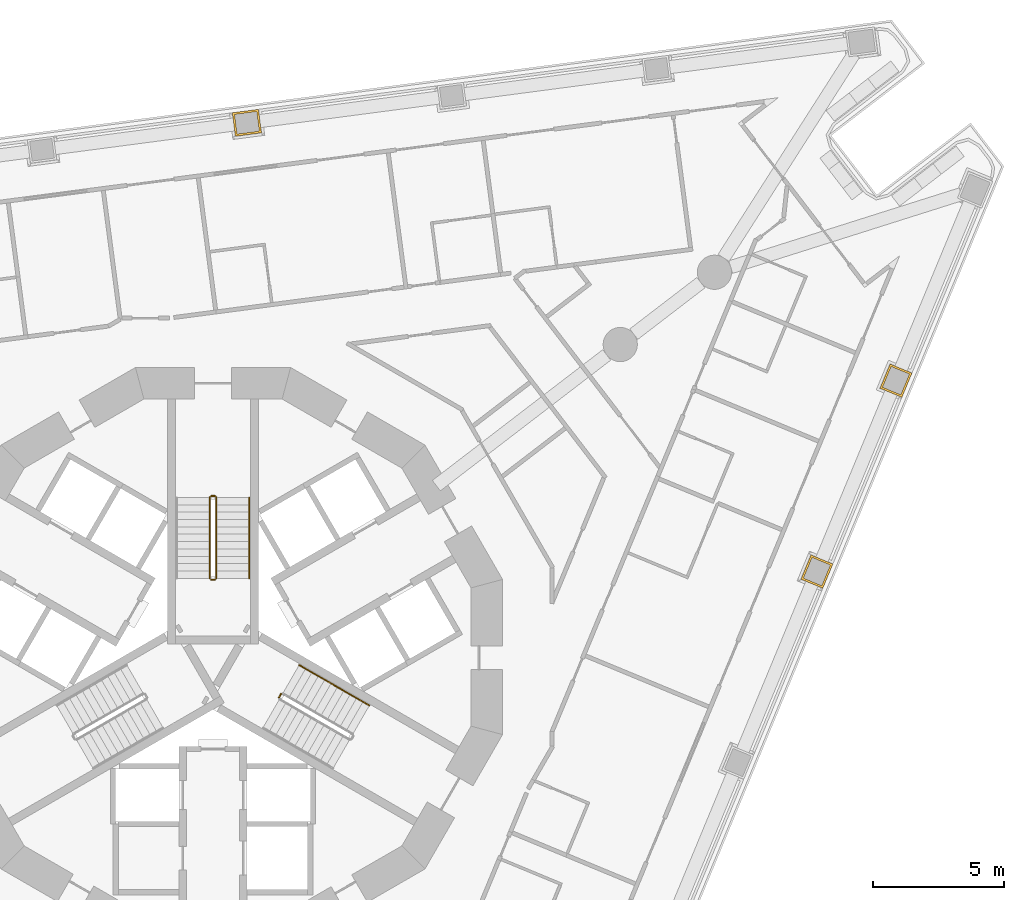
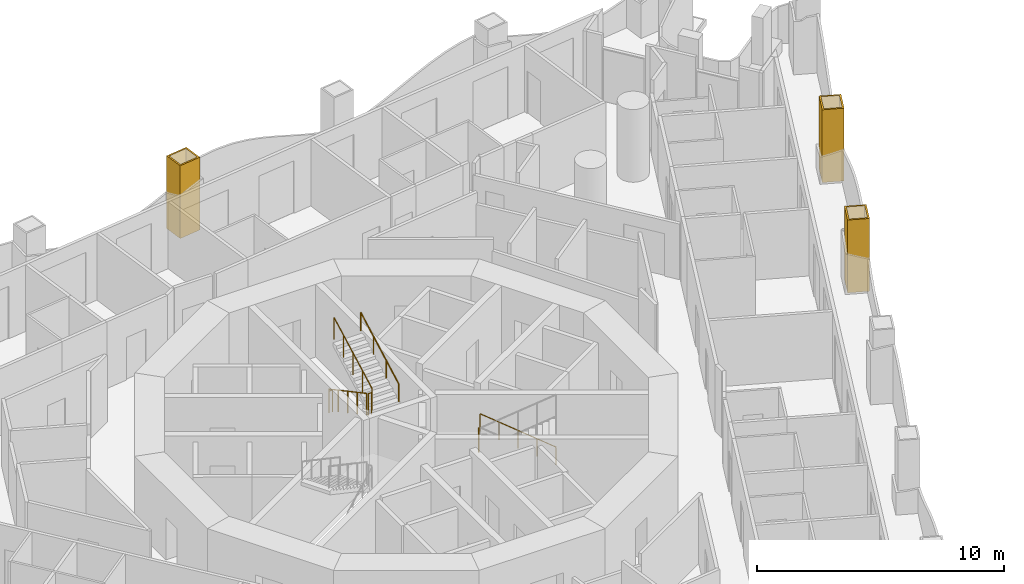
# One storey, part 17 of 19: 8 railings, 3 coverings.
"""IFC4 building model written with IfcOpenShell, lengths in metres."""

from ifc_helpers import new_model, si_unit, direction, frame, origin, origin_2d, place, context, subcontext, project, spatial, polyline, circle, outline, extrude, material, layer, layer_set, type_object, element, save


model = new_model("IFC4")

# Units and contexts
model_context = context("Model", 3, precision=1e-05, world=origin(), true_north=direction((0.0, 1.0)))
body_context = subcontext(model_context, "Body", "Model", "MODEL_VIEW")
ifc_project = project(units=[si_unit("LENGTHUNIT", "METRE"), si_unit("AREAUNIT", "SQUARE_METRE"), si_unit("VOLUMEUNIT", "CUBIC_METRE"), si_unit("PLANEANGLEUNIT", "RADIAN"), si_unit("MASSUNIT", "GRAM", prefix="KILO")], contexts=[model_context])

# Site, building, storey
site_placement = place(None, origin())
site = spatial("IfcSite", under=ifc_project, at=site_placement, CompositionType="ELEMENT")
building_placement = place(site_placement, origin())
building = spatial("IfcBuilding", under=site, at=building_placement, Name="Trine Commons Tower", CompositionType="ELEMENT")
storey_placement = place(building_placement, frame((0.0, 0.0, 75.60009765625)))
storey = spatial("IfcBuildingStorey", under=building, at=storey_placement, Name="L18", CompositionType="ELEMENT", Elevation=75.60009765625)

# Coverings
ifc_material_1 = material(Name="Limestone, honed", Category="masonry")
ifc_layer = layer(ifc_material_1, 0.074951171875)
ifc_layer_set = layer_set([ifc_layer], Name="Limestone, honed")
covering_type = type_object("IfcCoveringType", Name="Limestone column cladding 75", PredefinedType="CLADDING", material=ifc_layer_set)
covering_1_placement = place(storey_placement, origin())
element("IfcCovering", 1, at=covering_1_placement, inside=storey, type_object=covering_type, Name="Limestone pier cladding 2-13", PredefinedType="CLADDING", context=body_context, shape_type="SweptSolid", body=[
    extrude(outline(polyline([(81.843505859375, 82.43798828125), (81.72607421875, 83.330322265625), (80.734619140625, 83.19970703125), (80.85205078125, 82.3076171875), (81.843505859375, 82.43798828125)]), holes=[polyline([(81.759521484375, 82.502685546875), (81.66162109375, 83.24609375), (80.81884765625, 83.13525390625), (80.916748046875, 82.3916015625), (81.759521484375, 82.502685546875)])]), origin(), (0.0, 0.0, 1.0), 3.599853515625),
])
covering_2_placement = place(storey_placement, origin())
element("IfcCovering", 2, at=covering_2_placement, inside=storey, type_object=covering_type, Name="Limestone pier cladding 2-18", PredefinedType="CLADDING", context=body_context, shape_type="SweptSolid", body=[
    extrude(outline(polyline([(106.58349609375, 73.30029296875), (105.751953125, 73.644775390625), (105.369140625, 72.720947265625), (106.20068359375, 72.37646484375), (106.58349609375, 73.30029296875)]), holes=[polyline([(106.4853515625, 73.259765625), (105.79248046875, 73.546875), (105.46728515625, 72.761474609375), (106.16015625, 72.474365234375), (106.4853515625, 73.259765625)])]), origin(), (0.0, 0.0, 1.0), 3.599853515625),
])
covering_3_placement = place(storey_placement, origin())
element("IfcCovering", 3, at=covering_3_placement, inside=storey, type_object=covering_type, Name="Limestone pier cladding 2-19", PredefinedType="CLADDING", context=body_context, shape_type="SweptSolid", body=[
    extrude(outline(polyline([(103.575439453125, 66.0380859375), (102.743896484375, 66.382568359375), (102.361083984375, 65.458740234375), (103.192626953125, 65.114501953125), (103.575439453125, 66.0380859375)]), holes=[polyline([(103.477294921875, 65.99755859375), (102.784423828125, 66.28466796875), (102.459228515625, 65.49951171875), (103.152099609375, 65.21240234375), (103.477294921875, 65.99755859375)])]), origin(), (0.0, 0.0, 1.0), 3.599853515625),
])

# Railings
ifc_material_2 = material(Name="Stainless steel balustrade", Category="steel")
railing_type_1 = type_object("IfcRailingType", Name="Stair guard, steel balustrade 1100", PredefinedType="GUARDRAIL", material=ifc_material_2)
railing_1_placement = place(storey_placement, frame((79.875, 68.570556640625, 0.14990234375)))
element("IfcRailing", 4, at=railing_1_placement, inside=storey, type_object=railing_type_1, Name="L18 ST1A stair guard 1", PredefinedType="GUARDRAIL", context=body_context, shape_type="SweptSolid", body=[
    extrude(circle(Radius=0.02392578125, at=origin_2d()), frame((0.0, 0.0, 1.076171875), z_axis=(0.0, -0.881496589024, 0.472190389079), x_axis=(1.0, 0.0, 0.0)), (0.0, 0.0, 1.0), 3.494140625),
    extrude(circle(Radius=0.02099609375, at=origin_2d()), origin(), (0.0, 0.0, 1.0), 1.052001953125),
    extrude(circle(Radius=0.02099609375, at=origin_2d()), frame((0.0, -0.77001953125, 0.41259765625)), (0.0, 0.0, 1.0), 1.052001953125),
    extrude(circle(Radius=0.02099609375, at=origin_2d()), frame((0.0, -1.5400390625, 0.824951171875)), (0.0, 0.0, 1.0), 1.052001953125),
    extrude(circle(Radius=0.02099609375, at=origin_2d()), frame((0.0, -2.31005859375, 1.2373046875)), (0.0, 0.0, 1.0), 1.052001953125),
    extrude(circle(Radius=0.02099609375, at=origin_2d()), frame((0.0, -3.080078125, 1.64990234375)), (0.0, 0.0, 1.0), 1.052001953125),
])
railing_2_placement = place(storey_placement, frame((79.925048828125, 65.440673828125, 1.7998046875)))
element("IfcRailing", 5, at=railing_2_placement, inside=storey, type_object=railing_type_1, Name="L18 ST1A stair guard 2", PredefinedType="GUARDRAIL", context=body_context, shape_type="SweptSolid", body=[
    extrude(circle(Radius=0.02392578125, at=origin_2d()), frame((0.0, 0.0, 1.076171875), z_axis=(1.0, 0.0, 0.0), x_axis=(0.0, 1.0, 0.0)), (0.0, 0.0, 1.0), 0.14990234375),
    extrude(circle(Radius=0.02099609375, at=origin_2d()), origin(), (0.0, 0.0, 1.0), 1.052001953125),
    extrude(circle(Radius=0.02099609375, at=origin_2d()), frame((0.14990234375, 0.0, 0.0)), (0.0, 0.0, 1.0), 1.052001953125),
])
railing_3_placement = place(storey_placement, frame((80.125, 65.490478515625, 1.949951171875)))
element("IfcRailing", 6, at=railing_3_placement, inside=storey, type_object=railing_type_1, Name="L18 ST1A stair guard 3", PredefinedType="GUARDRAIL", context=body_context, shape_type="SweptSolid", body=[
    extrude(circle(Radius=0.02392578125, at=origin_2d()), frame((0.0, 0.0, 1.076171875), z_axis=(0.0, 0.881496589024, 0.472190389079), x_axis=(-1.0, 0.0, 0.0)), (0.0, 0.0, 1.0), 3.494140625),
    extrude(circle(Radius=0.02099609375, at=origin_2d()), origin(), (0.0, 0.0, 1.0), 1.052001953125),
    extrude(circle(Radius=0.02099609375, at=origin_2d()), frame((0.0, 0.77001953125, 0.41259765625)), (0.0, 0.0, 1.0), 1.052001953125),
    extrude(circle(Radius=0.02099609375, at=origin_2d()), frame((0.0, 1.5400390625, 0.824951171875)), (0.0, 0.0, 1.0), 1.052001953125),
    extrude(circle(Radius=0.02099609375, at=origin_2d()), frame((0.0, 2.31005859375, 1.2373046875)), (0.0, 0.0, 1.0), 1.052001953125),
    extrude(circle(Radius=0.02099609375, at=origin_2d()), frame((0.0, 3.080078125, 1.64990234375)), (0.0, 0.0, 1.0), 1.052001953125),
])
railing_4_placement = place(storey_placement, frame((79.925048828125, 68.62060546875, 0.0)))
element("IfcRailing", 7, at=railing_4_placement, inside=storey, type_object=railing_type_1, Name="L18 ST1A stair guard 4", PredefinedType="GUARDRAIL", context=body_context, shape_type="SweptSolid", body=[
    extrude(circle(Radius=0.02392578125, at=origin_2d()), frame((0.0, 0.0, 1.076171875), z_axis=(1.0, 0.0, 0.0), x_axis=(0.0, 1.0, 0.0)), (0.0, 0.0, 1.0), 0.14990234375),
    extrude(circle(Radius=0.02099609375, at=origin_2d()), origin(), (0.0, 0.0, 1.0), 1.052001953125),
    extrude(circle(Radius=0.02099609375, at=origin_2d()), frame((0.14990234375, 0.0, 0.0)), (0.0, 0.0, 1.0), 1.052001953125),
])
railing_5_placement = place(storey_placement, frame((82.584228515625, 61.0947265625, 1.7998046875)))
element("IfcRailing", 8, at=railing_5_placement, inside=storey, type_object=railing_type_1, Name="L18 ST3A stair guard 2", PredefinedType="GUARDRAIL", context=body_context, shape_type="SweptSolid", body=[
    extrude(circle(Radius=0.02392578125, at=origin_2d()), frame((0.0, 0.0, 1.076171875), z_axis=(-0.501036270542, -0.865426285481, 0.0), x_axis=(0.865426285481, -0.501036270542, 0.0)), (0.0, 0.0, 1.0), 0.150146484375),
    extrude(circle(Radius=0.02099609375, at=origin_2d()), origin(), (0.0, 0.0, 1.0), 1.052001953125),
    extrude(circle(Radius=0.02099609375, at=origin_2d()), frame((-0.0751953125, -0.1298828125, 0.0)), (0.0, 0.0, 1.0), 1.052001953125),
])
ifc_material_3 = material(Name="Stainless steel handrail", Category="steel")
railing_type_2 = type_object("IfcRailingType", Name="Stair handrail, steel 900", PredefinedType="HANDRAIL", material=ifc_material_3)
railing_6_placement = place(storey_placement, frame((81.375, 65.490478515625, 1.949951171875)))
element("IfcRailing", 9, at=railing_6_placement, inside=storey, type_object=railing_type_2, Name="L18 ST1A stair handrail 2", PredefinedType="HANDRAIL", context=body_context, shape_type="SweptSolid", body=[
    extrude(circle(Radius=0.02099609375, at=origin_2d()), frame((0.0, 0.0, 0.87890625), z_axis=(0.0, 0.881496589024, 0.472190389079), x_axis=(-1.0, 0.0, 0.0)), (0.0, 0.0, 1.0), 3.494140625),
    extrude(circle(Radius=0.01513671875, at=origin_2d()), origin(), (0.0, 0.0, 1.0), 0.85791015625),
    extrude(circle(Radius=0.01513671875, at=origin_2d()), frame((0.0, 1.026611328125, 0.550048828125)), (0.0, 0.0, 1.0), 0.85791015625),
    extrude(circle(Radius=0.01513671875, at=origin_2d()), frame((0.0, 2.053466796875, 1.099853515625)), (0.0, 0.0, 1.0), 0.85791015625),
    extrude(circle(Radius=0.01513671875, at=origin_2d()), frame((0.0, 3.080078125, 1.64990234375)), (0.0, 0.0, 1.0), 0.85791015625),
])
for number, where, name in (
    (10, (85.94482421875, 60.655517578125, 0.14990234375), "L18 ST3A stair handrail 1"),
    (11, (84.611083984375, 61.425537109375, 0.974853515625), "L18 ST3A stair handrail 2"),
):
    element("IfcRailing", number, at=place(storey_placement, frame(where)), inside=storey, type_object=railing_type_2, Name=name, PredefinedType="HANDRAIL", context=body_context, shape_type="SweptSolid", body=[
        extrude(circle(Radius=0.02099609375, at=origin_2d()), frame((0.0, 0.0, 0.87890625), z_axis=(-0.76340495495, 0.440743040072, 0.472184759798), x_axis=(-0.499992328818, -0.866029832698, 0.0)), (0.0, 0.0, 1.0), 1.7470703125),
        extrude(circle(Radius=0.01513671875, at=origin_2d()), origin(), (0.0, 0.0, 1.0), 0.85791015625),
        extrude(circle(Radius=0.01513671875, at=origin_2d()), frame((-0.6669921875, 0.385009765625, 0.41259765625)), (0.0, 0.0, 1.0), 0.85791015625),
        extrude(circle(Radius=0.01513671875, at=origin_2d()), frame((-1.333740234375, 0.77001953125, 0.824951171875)), (0.0, 0.0, 1.0), 0.85791015625),
    ])

save(model, "model.ifc")
